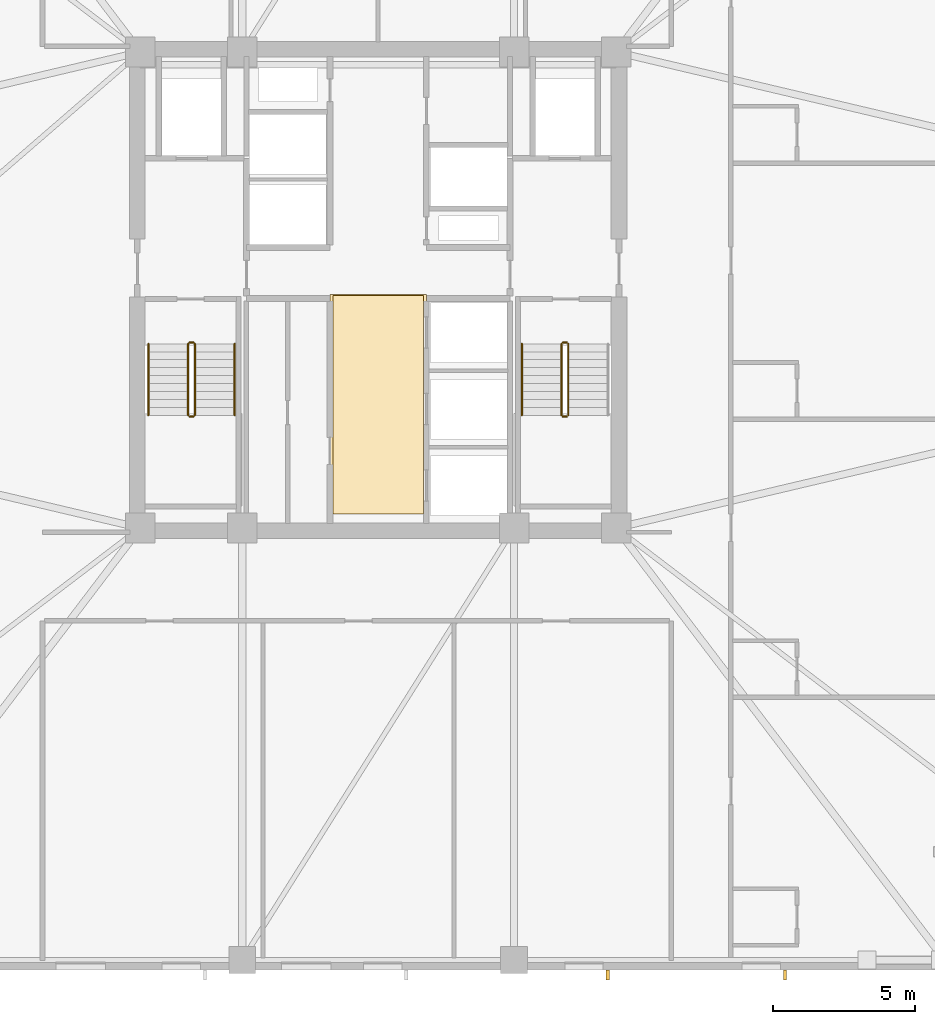
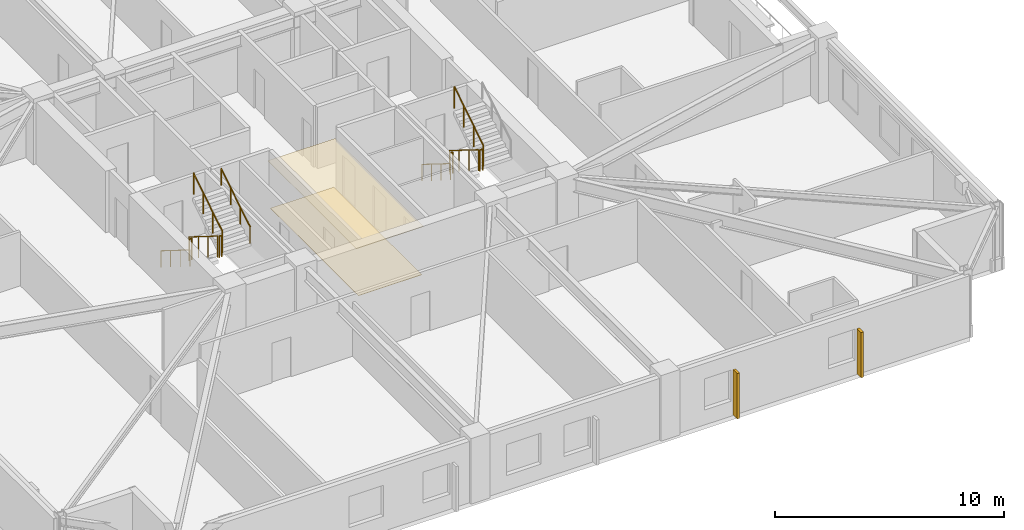
# One storey, part 7 of 10: 11 railings, 2 coverings, 2 shading devices.
"""IFC4 building model written with IfcOpenShell, lengths in metres."""

import ifcopenshell
import ifcopenshell.guid

model = None  # the IFC model being written
_history = None  # IfcOwnerHistory: only IFC2X3 demands one
_inside = {}  # id of a spatial element -> (the spatial element, [elements in it])
_under = {}  # id of a project, library or spatial element -> (it, [spatial elements below it])
_declared = {}  # id of a project -> (the project, [libraries it declares])
_typed = {}  # id of a type object -> (the type object, [elements of that type])
_made_of = {}  # id of a material, layer set ... -> (it, [elements and type objects made of it])


def new_model(schema):
    """Start an empty IFC model of exactly this schema.

    Asked for "IFC4X3", IfcOpenShell would pick the latest addendum, in which some entities
    have other attributes; the version numbers below select the first issue.
    IFC2X3 requires an IfcOwnerHistory on every rooted entity: one is made here for all.
    """
    global model, _history
    if schema == "IFC4X3":
        model = ifcopenshell.file(schema_version=(4, 3, 0, 0))
    else:
        model = ifcopenshell.file(schema=schema)
    _inside.clear()
    _under.clear()
    _declared.clear()
    _typed.clear()
    _made_of.clear()
    _history = None
    if model.schema == "IFC2X3":
        org = make("IfcOrganization", Name="unknown")
        user = make(
            "IfcPersonAndOrganization",
            ThePerson=make("IfcPerson", FamilyName="unknown"),
            TheOrganization=org,
        )
        app = make(
            "IfcApplication",
            ApplicationDeveloper=org,
            Version="unknown",
            ApplicationFullName="unknown",
            ApplicationIdentifier="unknown",
        )
        _history = make(
            "IfcOwnerHistory",
            OwningUser=user,
            OwningApplication=app,
            ChangeAction="ADDED",
            CreationDate=0,
        )
    return model


def make(cls, **values):
    """One entity of the class cls with the attributes given. An attribute that is None is left unset."""
    return model.create_entity(
        cls, **{name: value for name, value in values.items() if value is not None}
    )


def rooted(cls, **values):
    """An entity with a GlobalId (a new one), such as an element, a storey or a relation."""
    return make(cls, GlobalId=ifcopenshell.guid.new(), OwnerHistory=_history, **values)


def si_unit(unit_type, name, prefix=None):
    """IfcSIUnit, for example si_unit("LENGTHUNIT", "METRE", prefix="MILLI")."""
    return make("IfcSIUnit", UnitType=unit_type, Prefix=prefix, Name=name)


def assignment(units):
    """IfcUnitAssignment: the units of a project."""
    return None if units is None else make("IfcUnitAssignment", Units=units)


def point(xyz):
    """IfcCartesianPoint."""
    return None if xyz is None else make("IfcCartesianPoint", Coordinates=xyz)


def direction(xyz):
    """IfcDirection."""
    return None if xyz is None else make("IfcDirection", DirectionRatios=xyz)


def frame(location, z_axis=None, x_axis=None):
    """IfcAxis2Placement3D, a coordinate frame: its origin and axes. An axis left out is left unset."""
    return make(
        "IfcAxis2Placement3D",
        Location=point(location),
        Axis=direction(z_axis),
        RefDirection=direction(x_axis),
    )


def frame_2d(location, x_axis=None):
    """IfcAxis2Placement2D, a coordinate frame in the plane: its origin and x axis."""
    return make(
        "IfcAxis2Placement2D", Location=point(location), RefDirection=direction(x_axis)
    )


def origin():
    """The frame at (0, 0, 0) with its axes left unset."""
    return frame((0.0, 0.0, 0.0))


def origin_2d():
    """The frame at (0, 0) in the plane with its x axis left unset."""
    return frame_2d((0.0, 0.0))


def place(relative_to, where):
    """IfcLocalPlacement: puts the frame where relative to a parent placement (None: the world)."""
    return make(
        "IfcLocalPlacement", PlacementRelTo=relative_to, RelativePlacement=where
    )


def context(
    kind, dimensions, precision=None, world=None, true_north=None, identifier=None
):
    """IfcGeometricRepresentationContext, for example the 3D "Model" context."""
    return make(
        "IfcGeometricRepresentationContext",
        ContextIdentifier=identifier,
        ContextType=kind,
        CoordinateSpaceDimension=dimensions,
        Precision=precision,
        WorldCoordinateSystem=world,
        TrueNorth=true_north,
    )


def subcontext(parent, identifier, kind, view, scale=None):
    """IfcGeometricRepresentationSubContext, for example "Body" below "Model"."""
    return make(
        "IfcGeometricRepresentationSubContext",
        ContextIdentifier=identifier,
        ContextType=kind,
        ParentContext=parent,
        TargetScale=scale,
        TargetView=view,
    )


def project(units=None, contexts=None):
    """IfcProject with its units and contexts."""
    return rooted(
        "IfcProject",
        Name="project",
        RepresentationContexts=contexts,
        UnitsInContext=assignment(units),
    )


def spatial(cls, under=None, at=None, **own):
    """A site, building, storey or space (cls), placed at a placement, below another one or the project."""
    s = rooted(cls, ObjectPlacement=at, **own)
    if under is not None:
        _under.setdefault(under.id(), (under, []))[1].append(s)
    return s


def polyline(points):
    """IfcPolyline through the points."""
    return make("IfcPolyline", Points=[point(p) for p in points])


def profile(cls, at=None, kind="AREA", **sizes):
    """A parametric profile (cls). Its sizes go by their IFC names, for example OverallWidth=200.0."""
    return make(cls, ProfileType=kind, Position=at, **sizes)


def rectangle(**sizes):
    """IfcRectangleProfileDef."""
    return profile("IfcRectangleProfileDef", **sizes)


def circle(**sizes):
    """IfcCircleProfileDef."""
    return profile("IfcCircleProfileDef", **sizes)


def outline(outer, holes=None, kind="AREA"):
    """IfcArbitraryClosedProfileDef: a profile drawn as a closed curve; with holes, ...WithVoids."""
    if holes is None:
        return make("IfcArbitraryClosedProfileDef", ProfileType=kind, OuterCurve=outer)
    return make(
        "IfcArbitraryProfileDefWithVoids",
        ProfileType=kind,
        OuterCurve=outer,
        InnerCurves=holes,
    )


def extrude(swept, where, along, depth):
    """IfcExtrudedAreaSolid: the profile swept, set in the frame where, extruded along a direction by depth."""
    return make(
        "IfcExtrudedAreaSolid",
        SweptArea=swept,
        Position=where,
        ExtrudedDirection=direction(along),
        Depth=depth,
    )


def shape(context_of_items, identifier, shape_type, items):
    """IfcShapeRepresentation: the items that make up one representation, for example the "Body"."""
    return make(
        "IfcShapeRepresentation",
        ContextOfItems=context_of_items,
        RepresentationIdentifier=identifier,
        RepresentationType=shape_type,
        Items=items,
    )


def material(Name=None, Category=None):
    """IfcMaterial."""
    return make("IfcMaterial", Name=Name, Category=Category)


def layer(
    of_material, thickness, ventilated=None, Name=None, Category=None, Priority=None
):
    """IfcMaterialLayer: one layer of a wall or slab, of a material (None: an air gap)."""
    return make(
        "IfcMaterialLayer",
        Material=of_material,
        LayerThickness=thickness,
        IsVentilated=ventilated,
        Name=Name,
        Category=Category,
        Priority=Priority,
    )


def layer_set(layers, Name=None):
    """IfcMaterialLayerSet."""
    return make("IfcMaterialLayerSet", MaterialLayers=layers, LayerSetName=Name)


def made_of(thing, what):
    """Note that an element or type object is made of a material, layer set ...; save() writes the relation."""
    if what is not None:
        _made_of.setdefault(what.id(), (what, []))[1].append(thing)
    return thing


def type_object(cls, material=None, **own):
    """A type object (cls), such as IfcWallType, which elements share."""
    return made_of(rooted(cls, **own), material)


def element(
    cls,
    number,
    at=None,
    inside=None,
    cuts=None,
    type_object=None,
    material=None,
    context=None,
    identifier="Body",
    shape_type=None,
    held_by="IfcProductDefinitionShape",
    body=None,
    shapes=None,
    **own,
):
    """One element of the class cls, such as IfcWall. Its Tag is "e" and its number.

    at: its placement. inside: the storey or other place that contains it. cuts: it is an
    opening in that element (IfcRelVoidsElement). A single representation is given by context,
    identifier, shape_type and body (its items); several are given by shapes. held_by: the class
    of the entity that holds the representations. save() writes the other relations.
    """
    e = rooted(cls, Tag="e%d" % number, ObjectPlacement=at, **own)
    if body is not None:
        shapes = [shape(context, identifier, shape_type, body)]
    if shapes is not None:
        e.Representation = make(held_by, Representations=shapes)
    if inside is not None:
        _inside.setdefault(inside.id(), (inside, []))[1].append(e)
    if cuts is not None:
        rooted(
            "IfcRelVoidsElement", RelatingBuildingElement=cuts, RelatedOpeningElement=e
        )
    if type_object is not None:
        _typed.setdefault(type_object.id(), (type_object, []))[1].append(e)
    return made_of(e, material)


def aggregate(whole, parts):
    """IfcRelAggregates: a whole, such as a stair, and the parts it consists of."""
    return rooted("IfcRelAggregates", RelatingObject=whole, RelatedObjects=parts)


def save(model, path):
    """Write the relations noted so far, then the file.

    IfcRelAggregates (storeys below a building ...), IfcRelContainedInSpatialStructure (elements
    in a storey), IfcRelDefinesByType, IfcRelAssociatesMaterial and IfcRelDeclares: one each for
    every whole, place, type object, material and project.
    """
    for whole, parts in _under.values():
        aggregate(whole, parts)
    for where, things in _inside.values():
        rooted(
            "IfcRelContainedInSpatialStructure",
            RelatedElements=things,
            RelatingStructure=where,
        )
    for kind, things in _typed.values():
        rooted("IfcRelDefinesByType", RelatedObjects=things, RelatingType=kind)
    for what, things in _made_of.values():
        rooted("IfcRelAssociatesMaterial", RelatedObjects=things, RelatingMaterial=what)
    for by, libraries in _declared.values():
        rooted("IfcRelDeclares", RelatingContext=by, RelatedDefinitions=libraries)
    model.write(path)


model = new_model("IFC4")

# Units and contexts
model_context = context("Model", 3, precision=1e-05, world=origin(), true_north=direction((0.0, 1.0)))
body_context = subcontext(model_context, "Body", "Model", "MODEL_VIEW")
ifc_project = project(units=[si_unit("LENGTHUNIT", "METRE"), si_unit("AREAUNIT", "SQUARE_METRE"), si_unit("VOLUMEUNIT", "CUBIC_METRE"), si_unit("PLANEANGLEUNIT", "RADIAN"), si_unit("MASSUNIT", "GRAM", prefix="KILO")], contexts=[model_context])

# Site, building, storey
site_placement = place(None, origin())
site = spatial("IfcSite", under=ifc_project, at=site_placement, CompositionType="ELEMENT")
building_placement = place(site_placement, origin())
building = spatial("IfcBuilding", under=site, at=building_placement, Name="Cairnveth Concourse Tower", CompositionType="ELEMENT")
storey_placement = place(building_placement, frame((0.0, 0.0, 183.0)))
storey = spatial("IfcBuildingStorey", under=building, at=storey_placement, Name="L50", CompositionType="ELEMENT", Elevation=183.0)

# Covering
ifc_material_1 = material(Name="Acoustic Mineral Fibre Ceiling", Category="gypsum")
ifc_layer_1 = layer(ifc_material_1, 0.02490234375)
ifc_layer_set_1 = layer_set([ifc_layer_1], Name="Acoustic Mineral Fibre Ceiling")
covering_type_1 = type_object("IfcCoveringType", Name="ACOUSTIC MINERAL FIBRE CEILING 25", PredefinedType="CEILING", material=ifc_layer_set_1)
covering_1_placement = place(storey_placement, frame((0.0, 0.0, 2.5400390625)))
element("IfcCovering", 1, at=covering_1_placement, inside=storey, type_object=covering_type_1, Name="Lift Lobby Acoustic Ceiling L50", PredefinedType="CEILING", context=body_context, shape_type="SweptSolid", body=[
    extrude(outline(polyline([(50.300048828125, 31.10009765625), (53.699951171875, 31.10009765625), (53.699951171875, 38.85009765625), (50.300048828125, 38.85009765625), (50.300048828125, 31.10009765625)])), origin(), (0.0, 0.0, 1.0), 0.02490234375),
])

# Shading devices
ifc_material_2 = material(Name="Architectural Bronze Anodised Aluminium 6063-T6", Category="aluminium")
shading_device_type = type_object("IfcShadingDeviceType", Name="GOTHIC BRONZE VERTICAL LANCET FIN", PredefinedType="USERDEFINED", material=ifc_material_2)
for number, where, z_axis, x_axis, name in (
    (2, (66.358154296875, 14.824951171875, 0.030029296875), (0.0, 0.0, 1.0), (1.0, 0.0, 0.0), "Gothic Bronze Vertical Fin L50-3-1"),
    (3, (60.10107421875, 14.824951171875, 0.030029296875), (0.0, 0.0, 1.0), (1.0, 0.0, 0.0), "Gothic Bronze Vertical Fin L50-3-3"),
):
    element("IfcShadingDevice", number, at=place(storey_placement, frame(where, z_axis=z_axis, x_axis=x_axis)), inside=storey, type_object=shading_device_type, Name=name, ObjectType="VERTICAL FIN", PredefinedType="USERDEFINED", context=body_context, shape_type="SweptSolid", body=[
        extrude(rectangle(XDim=0.1201171875, YDim=0.360107421875, at=origin_2d()), origin(), (0.0, 0.0, 1.0), 2.419921875),
    ])

# Railings
ifc_material_3 = material(Name="Steel Grade 350", Category="steel")
railing_type_1 = type_object("IfcRailingType", Name="STAIR GUARDRAIL 1150", PredefinedType="GUARDRAIL", material=ifc_material_3)
railing_1_placement = place(storey_placement, frame((45.2900390625, 37.10009765625, 0.175048828125)))
element("IfcRailing", 4, at=railing_1_placement, inside=storey, type_object=railing_type_1, Name="L50 ST-1 stair guard 1", PredefinedType="GUARDRAIL", context=body_context, shape_type="SweptSolid", body=[
    extrude(circle(Radius=0.02392578125, at=origin_2d()), frame((0.0, 0.0, 1.1259765625), z_axis=(0.0, -0.848007534815, 0.529984170421), x_axis=(1.0, 0.0, 0.0)), (0.0, 0.0, 1.0), 2.9716796875),
    extrude(circle(Radius=0.02099609375, at=origin_2d()), origin(), (0.0, 0.0, 1.0), 1.101806640625),
    extrude(circle(Radius=0.02099609375, at=origin_2d()), frame((0.0, -0.840087890625, 0.52490234375)), (0.0, 0.0, 1.0), 1.101806640625),
    extrude(circle(Radius=0.02099609375, at=origin_2d()), frame((0.0, -1.679931640625, 1.050048828125)), (0.0, 0.0, 1.0), 1.101806640625),
    extrude(circle(Radius=0.02099609375, at=origin_2d()), frame((0.0, -2.52001953125, 1.574951171875)), (0.0, 0.0, 1.0), 1.101806640625),
])
railing_2_placement = place(storey_placement, frame((45.340087890625, 34.530029296875, 1.75)))
element("IfcRailing", 5, at=railing_2_placement, inside=storey, type_object=railing_type_1, Name="L50 ST-1 stair guard 2", PredefinedType="GUARDRAIL", context=body_context, shape_type="SweptSolid", body=[
    extrude(circle(Radius=0.02392578125, at=origin_2d()), frame((0.0, 0.0, 1.1259765625), z_axis=(1.0, 0.0, 0.0), x_axis=(0.0, 1.0, 0.0)), (0.0, 0.0, 1.0), 0.139892578125),
    extrude(circle(Radius=0.02099609375, at=origin_2d()), origin(), (0.0, 0.0, 1.0), 1.101806640625),
    extrude(circle(Radius=0.02099609375, at=origin_2d()), frame((0.139892578125, 0.0, 0.0)), (0.0, 0.0, 1.0), 1.101806640625),
])
railing_3_placement = place(storey_placement, frame((45.530029296875, 34.580078125, 1.925048828125)))
element("IfcRailing", 6, at=railing_3_placement, inside=storey, type_object=railing_type_1, Name="L50 ST-1 stair guard 3", PredefinedType="GUARDRAIL", context=body_context, shape_type="SweptSolid", body=[
    extrude(circle(Radius=0.02392578125, at=origin_2d()), frame((0.0, 0.0, 1.1259765625), z_axis=(0.0, 0.848007534815, 0.529984170421), x_axis=(-1.0, 0.0, 0.0)), (0.0, 0.0, 1.0), 2.9716796875),
    extrude(circle(Radius=0.02099609375, at=origin_2d()), origin(), (0.0, 0.0, 1.0), 1.101806640625),
    extrude(circle(Radius=0.02099609375, at=origin_2d()), frame((0.0, 0.840087890625, 0.52490234375)), (0.0, 0.0, 1.0), 1.101806640625),
    extrude(circle(Radius=0.02099609375, at=origin_2d()), frame((0.0, 1.679931640625, 1.050048828125)), (0.0, 0.0, 1.0), 1.101806640625),
    extrude(circle(Radius=0.02099609375, at=origin_2d()), frame((0.0, 2.52001953125, 1.574951171875)), (0.0, 0.0, 1.0), 1.101806640625),
])
railing_4_placement = place(storey_placement, frame((45.340087890625, 37.14990234375, 0.0)))
element("IfcRailing", 7, at=railing_4_placement, inside=storey, type_object=railing_type_1, Name="L50 ST-1 stair guard 4", PredefinedType="GUARDRAIL", context=body_context, shape_type="SweptSolid", body=[
    extrude(circle(Radius=0.02392578125, at=origin_2d()), frame((0.0, 0.0, 1.1259765625), z_axis=(1.0, 0.0, 0.0), x_axis=(0.0, 1.0, 0.0)), (0.0, 0.0, 1.0), 0.139892578125),
    extrude(circle(Radius=0.02099609375, at=origin_2d()), origin(), (0.0, 0.0, 1.0), 1.101806640625),
    extrude(circle(Radius=0.02099609375, at=origin_2d()), frame((0.139892578125, 0.0, 0.0)), (0.0, 0.0, 1.0), 1.101806640625),
])
railing_5_placement = place(storey_placement, frame((58.469970703125, 37.10009765625, 0.175048828125)))
element("IfcRailing", 8, at=railing_5_placement, inside=storey, type_object=railing_type_1, Name="L50 ST-2 stair guard 1", PredefinedType="GUARDRAIL", context=body_context, shape_type="SweptSolid", body=[
    extrude(circle(Radius=0.02392578125, at=origin_2d()), frame((0.0, 0.0, 1.1259765625), z_axis=(0.0, -0.848007534815, 0.529984170421), x_axis=(1.0, 0.0, 0.0)), (0.0, 0.0, 1.0), 2.9716796875),
    extrude(circle(Radius=0.02099609375, at=origin_2d()), origin(), (0.0, 0.0, 1.0), 1.101806640625),
    extrude(circle(Radius=0.02099609375, at=origin_2d()), frame((0.0, -0.840087890625, 0.52490234375)), (0.0, 0.0, 1.0), 1.101806640625),
    extrude(circle(Radius=0.02099609375, at=origin_2d()), frame((0.0, -1.679931640625, 1.050048828125)), (0.0, 0.0, 1.0), 1.101806640625),
    extrude(circle(Radius=0.02099609375, at=origin_2d()), frame((0.0, -2.52001953125, 1.574951171875)), (0.0, 0.0, 1.0), 1.101806640625),
])
railing_6_placement = place(storey_placement, frame((58.52001953125, 34.530029296875, 1.75)))
element("IfcRailing", 9, at=railing_6_placement, inside=storey, type_object=railing_type_1, Name="L50 ST-2 stair guard 2", PredefinedType="GUARDRAIL", context=body_context, shape_type="SweptSolid", body=[
    extrude(circle(Radius=0.02392578125, at=origin_2d()), frame((0.0, 0.0, 1.1259765625), z_axis=(1.0, 0.0, 0.0), x_axis=(0.0, 1.0, 0.0)), (0.0, 0.0, 1.0), 0.139892578125),
    extrude(circle(Radius=0.02099609375, at=origin_2d()), origin(), (0.0, 0.0, 1.0), 1.101806640625),
    extrude(circle(Radius=0.02099609375, at=origin_2d()), frame((0.139892578125, 0.0, 0.0)), (0.0, 0.0, 1.0), 1.101806640625),
])
railing_7_placement = place(storey_placement, frame((58.7099609375, 34.580078125, 1.925048828125)))
element("IfcRailing", 10, at=railing_7_placement, inside=storey, type_object=railing_type_1, Name="L50 ST-2 stair guard 3", PredefinedType="GUARDRAIL", context=body_context, shape_type="SweptSolid", body=[
    extrude(circle(Radius=0.02392578125, at=origin_2d()), frame((0.0, 0.0, 1.1259765625), z_axis=(0.0, 0.848007534815, 0.529984170421), x_axis=(-1.0, 0.0, 0.0)), (0.0, 0.0, 1.0), 2.9716796875),
    extrude(circle(Radius=0.02099609375, at=origin_2d()), origin(), (0.0, 0.0, 1.0), 1.101806640625),
    extrude(circle(Radius=0.02099609375, at=origin_2d()), frame((0.0, 0.840087890625, 0.52490234375)), (0.0, 0.0, 1.0), 1.101806640625),
    extrude(circle(Radius=0.02099609375, at=origin_2d()), frame((0.0, 1.679931640625, 1.050048828125)), (0.0, 0.0, 1.0), 1.101806640625),
    extrude(circle(Radius=0.02099609375, at=origin_2d()), frame((0.0, 2.52001953125, 1.574951171875)), (0.0, 0.0, 1.0), 1.101806640625),
])
railing_8_placement = place(storey_placement, frame((58.52001953125, 37.14990234375, 0.0)))
element("IfcRailing", 11, at=railing_8_placement, inside=storey, type_object=railing_type_1, Name="L50 ST-2 stair guard 4", PredefinedType="GUARDRAIL", context=body_context, shape_type="SweptSolid", body=[
    extrude(circle(Radius=0.02392578125, at=origin_2d()), frame((0.0, 0.0, 1.1259765625), z_axis=(1.0, 0.0, 0.0), x_axis=(0.0, 1.0, 0.0)), (0.0, 0.0, 1.0), 0.139892578125),
    extrude(circle(Radius=0.02099609375, at=origin_2d()), origin(), (0.0, 0.0, 1.0), 1.101806640625),
    extrude(circle(Radius=0.02099609375, at=origin_2d()), frame((0.139892578125, 0.0, 0.0)), (0.0, 0.0, 1.0), 1.101806640625),
])
railing_type_2 = type_object("IfcRailingType", Name="STAIR WALL HANDRAIL 900", PredefinedType="HANDRAIL", material=ifc_material_3)
railing_9_placement = place(storey_placement, frame((43.889892578125, 37.10009765625, 0.175048828125)))
element("IfcRailing", 12, at=railing_9_placement, inside=storey, type_object=railing_type_2, Name="L50 ST-1 stair handrail 1", PredefinedType="HANDRAIL", context=body_context, shape_type="SweptSolid", body=[
    extrude(circle(Radius=0.02392578125, at=origin_2d()), frame((0.0, 0.0, 0.8759765625), z_axis=(0.0, -0.848007534815, 0.529984170421), x_axis=(1.0, 0.0, 0.0)), (0.0, 0.0, 1.0), 2.9716796875),
    extrude(circle(Radius=0.02099609375, at=origin_2d()), origin(), (0.0, 0.0, 1.0), 0.851806640625),
    extrude(circle(Radius=0.02099609375, at=origin_2d()), frame((0.0, -0.840087890625, 0.52490234375)), (0.0, 0.0, 1.0), 0.851806640625),
    extrude(circle(Radius=0.02099609375, at=origin_2d()), frame((0.0, -1.679931640625, 1.050048828125)), (0.0, 0.0, 1.0), 0.851806640625),
    extrude(circle(Radius=0.02099609375, at=origin_2d()), frame((0.0, -2.52001953125, 1.574951171875)), (0.0, 0.0, 1.0), 0.851806640625),
])
railing_10_placement = place(storey_placement, frame((46.929931640625, 34.580078125, 1.925048828125)))
element("IfcRailing", 13, at=railing_10_placement, inside=storey, type_object=railing_type_2, Name="L50 ST-1 stair handrail 2", PredefinedType="HANDRAIL", context=body_context, shape_type="SweptSolid", body=[
    extrude(circle(Radius=0.02392578125, at=origin_2d()), frame((0.0, 0.0, 0.8759765625), z_axis=(0.0, 0.848007534815, 0.529984170421), x_axis=(-1.0, 0.0, 0.0)), (0.0, 0.0, 1.0), 2.9716796875),
    extrude(circle(Radius=0.02099609375, at=origin_2d()), origin(), (0.0, 0.0, 1.0), 0.851806640625),
    extrude(circle(Radius=0.02099609375, at=origin_2d()), frame((0.0, 0.840087890625, 0.52490234375)), (0.0, 0.0, 1.0), 0.851806640625),
    extrude(circle(Radius=0.02099609375, at=origin_2d()), frame((0.0, 1.679931640625, 1.050048828125)), (0.0, 0.0, 1.0), 0.851806640625),
    extrude(circle(Radius=0.02099609375, at=origin_2d()), frame((0.0, 2.52001953125, 1.574951171875)), (0.0, 0.0, 1.0), 0.851806640625),
])
railing_11_placement = place(storey_placement, frame((57.070068359375, 37.10009765625, 0.175048828125)))
element("IfcRailing", 14, at=railing_11_placement, inside=storey, type_object=railing_type_2, Name="L50 ST-2 stair handrail 1", PredefinedType="HANDRAIL", context=body_context, shape_type="SweptSolid", body=[
    extrude(circle(Radius=0.02392578125, at=origin_2d()), frame((0.0, 0.0, 0.8759765625), z_axis=(0.0, -0.848007534815, 0.529984170421), x_axis=(1.0, 0.0, 0.0)), (0.0, 0.0, 1.0), 2.9716796875),
    extrude(circle(Radius=0.02099609375, at=origin_2d()), origin(), (0.0, 0.0, 1.0), 0.851806640625),
    extrude(circle(Radius=0.02099609375, at=origin_2d()), frame((0.0, -0.840087890625, 0.52490234375)), (0.0, 0.0, 1.0), 0.851806640625),
    extrude(circle(Radius=0.02099609375, at=origin_2d()), frame((0.0, -1.679931640625, 1.050048828125)), (0.0, 0.0, 1.0), 0.851806640625),
    extrude(circle(Radius=0.02099609375, at=origin_2d()), frame((0.0, -2.52001953125, 1.574951171875)), (0.0, 0.0, 1.0), 0.851806640625),
])

# Covering
ifc_material_4 = material(Name="Vitrified Stoneware Tile Flooring", Category="masonry")
ifc_layer_2 = layer(ifc_material_4, 0.02001953125)
ifc_layer_set_2 = layer_set([ifc_layer_2], Name="Vitrified Stoneware Tile Flooring")
covering_type_2 = type_object("IfcCoveringType", Name="VITRIFIED STONEWARE LOBBY FLOORING 20", PredefinedType="FLOORING", material=ifc_layer_set_2)
covering_2_placement = place(storey_placement, origin())
element("IfcCovering", 15, at=covering_2_placement, inside=storey, type_object=covering_type_2, Name="Lift Lobby Stoneware Flooring L50", PredefinedType="FLOORING", context=body_context, shape_type="SweptSolid", body=[
    extrude(outline(polyline([(50.39990234375, 31.10009765625), (53.60009765625, 31.10009765625), (53.60009765625, 38.800048828125), (50.39990234375, 38.800048828125), (50.39990234375, 31.10009765625)])), origin(), (0.0, 0.0, 1.0), 0.02001953125),
])

save(model, "model.ifc")
